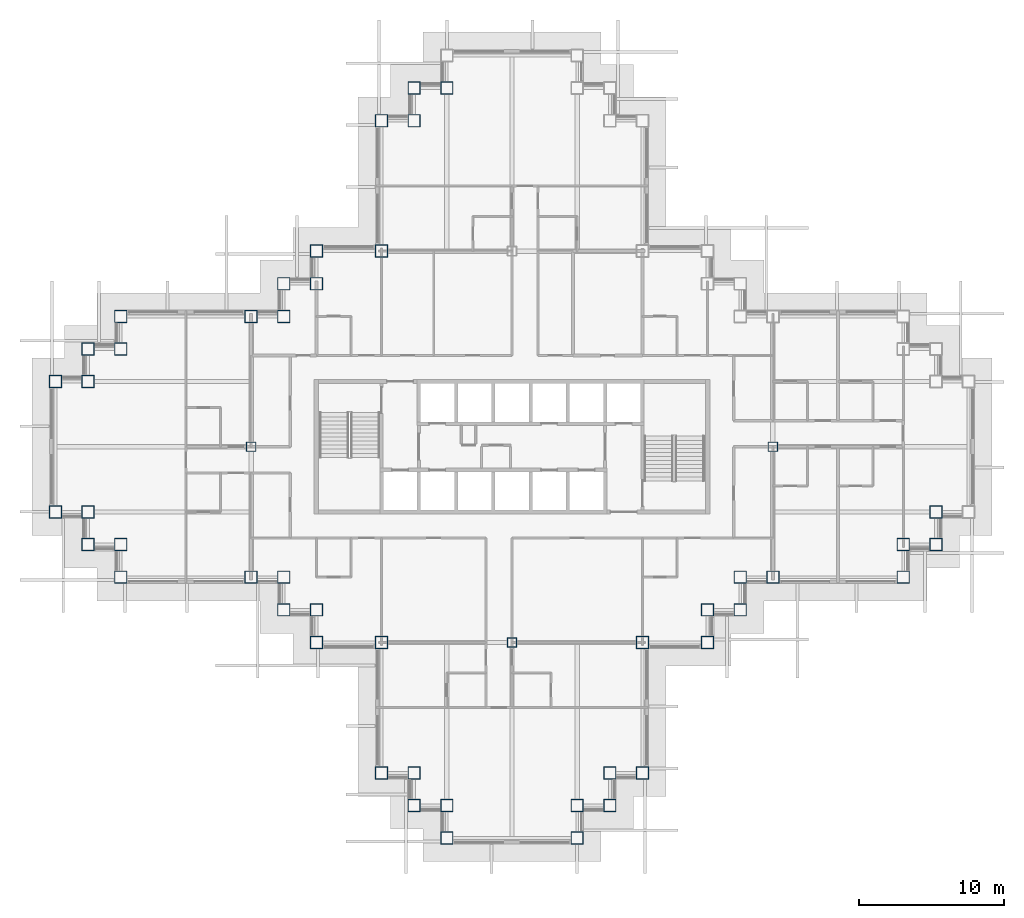
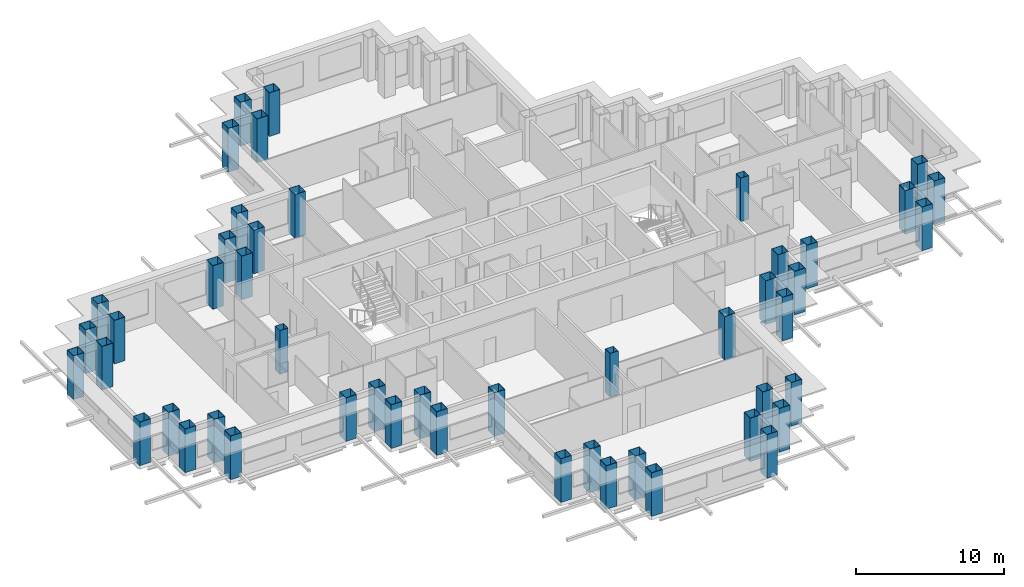
# One storey, part 1 of 17: 49 columns.
"""IFC4 building model written with IfcOpenShell, lengths in metres."""

from ifc_helpers import new_model, si_unit, direction, frame, origin, origin_2d, place, context, subcontext, project, spatial, hollow_rectangle, extrude, material, material_profile, profile_set, type_object, element, save


model = new_model("IFC4")

# Units and contexts
model_context = context("Model", 3, precision=1e-05, world=origin(), true_north=direction((0.0, 1.0)))
body_context = subcontext(model_context, "Body", "Model", "MODEL_VIEW")
ifc_project = project(units=[si_unit("LENGTHUNIT", "METRE"), si_unit("AREAUNIT", "SQUARE_METRE"), si_unit("VOLUMEUNIT", "CUBIC_METRE"), si_unit("PLANEANGLEUNIT", "RADIAN"), si_unit("MASSUNIT", "GRAM", prefix="KILO")], contexts=[model_context])

# Site, building, storey
site_placement = place(None, origin())
site = spatial("IfcSite", under=ifc_project, at=site_placement, CompositionType="ELEMENT")
building_placement = place(site_placement, origin())
building = spatial("IfcBuilding", under=site, at=building_placement, Name="Caravel Reach Hotel and Residences", CompositionType="ELEMENT")
storey_placement = place(building_placement, frame((0.0, 0.0, 126.0)))
storey = spatial("IfcBuildingStorey", under=building, at=storey_placement, Name="L31", CompositionType="ELEMENT", Elevation=126.0)

# Columns
ifc_material_1 = material(Name="Concrete-filled steel tube Q390B with Concrete C70 infill", Category="concrete")
ifc_material_profile_1 = material_profile(ifc_material_1, hollow_rectangle(XDim=0.64990234375, YDim=0.64990234375, WallThickness=0.02099609375, at=origin_2d()), Name="RHS 650x650x21")
ifc_profile_set_1 = profile_set([ifc_material_profile_1], Name="Concrete-filled steel tube Q390B with Concrete C70 infill")
column_type_1 = type_object("IfcColumnType", Name="CFT 650x650 Q390B C70", PredefinedType="COLUMN", material=ifc_profile_set_1)
for number, where, z_axis, x_axis, name in (
    (1, (31.5, 13.5, 0.0), (0.0, 0.0, 1.0), (1.0, 0.0, 0.0), "C17 column"),
    (2, (13.5, 27.0, 0.0), (0.0, 0.0, 1.0), (1.0, 0.0, 0.0), "C17 column"),
    (3, (49.5, 27.0, 0.0), (0.0, 0.0, 1.0), (1.0, 0.0, 0.0), "C17 column"),
):
    element("IfcColumn", number, at=place(storey_placement, frame(where, z_axis=z_axis, x_axis=x_axis)), inside=storey, type_object=column_type_1, Name=name, PredefinedType="COLUMN", context=body_context, shape_type="SweptSolid", body=[
        extrude(hollow_rectangle(XDim=0.64990234375, YDim=0.64990234375, WallThickness=0.02099609375, at=origin_2d()), origin(), (0.0, 0.0, 1.0), 3.60009765625),
    ])
ifc_material_2 = material(Name="Concrete-filled steel tube Q390B with Concrete C70 infill", Category="concrete")
ifc_material_profile_2 = material_profile(ifc_material_2, hollow_rectangle(XDim=0.85009765625, YDim=0.85009765625, WallThickness=0.02587890625, at=origin_2d()), Name="RHS 850x850x26")
ifc_profile_set_2 = profile_set([ifc_material_profile_2], Name="Concrete-filled steel tube Q390B with Concrete C70 infill")
column_type_2 = type_object("IfcColumnType", Name="CFT 850x850 Q390B C70", PredefinedType="COLUMN", material=ifc_profile_set_2)
for number, where, z_axis, x_axis, name in (
    (4, (22.5, 4.5, 0.0), (0.0, 0.0, 1.0), (1.0, 0.0, 0.0), "C13 column"),
    (5, (24.75, 4.5, 0.0), (0.0, 0.0, 1.0), (1.0, 0.0, 0.0), "C13 column"),
    (6, (24.75, 2.25, 0.0), (0.0, 0.0, 1.0), (1.0, 0.0, 0.0), "C13 column"),
    (7, (27.0, 2.25, 0.0), (0.0, 0.0, 1.0), (1.0, 0.0, 0.0), "C13 column"),
    (8, (27.0, 0.0, 0.0), (0.0, 0.0, 1.0), (1.0, 0.0, 0.0), "C13 column"),
    (9, (36.0, 0.0, 0.0), (0.0, 0.0, 1.0), (1.0, 0.0, 0.0), "C13 column"),
    (10, (36.0, 2.25, 0.0), (0.0, 0.0, 1.0), (1.0, 0.0, 0.0), "C13 column"),
    (11, (38.25, 2.25, 0.0), (0.0, 0.0, 1.0), (1.0, 0.0, 0.0), "C13 column"),
    (12, (38.25, 4.5, 0.0), (0.0, 0.0, 1.0), (1.0, 0.0, 0.0), "C13 column"),
    (13, (40.5, 4.5, 0.0), (0.0, 0.0, 1.0), (1.0, 0.0, 0.0), "C13 column"),
    (14, (40.5, 13.5, 0.0), (0.0, 0.0, 1.0), (1.0, 0.0, 0.0), "C13 column"),
    (15, (45.0, 13.5, 0.0), (0.0, 0.0, 1.0), (1.0, 0.0, 0.0), "C13 column"),
    (16, (45.0, 15.75, 0.0), (0.0, 0.0, 1.0), (1.0, 0.0, 0.0), "C13 column"),
    (17, (47.25, 15.75, 0.0), (0.0, 0.0, 1.0), (1.0, 0.0, 0.0), "C13 column"),
    (18, (47.25, 18.0, 0.0), (0.0, 0.0, 1.0), (1.0, 0.0, 0.0), "C13 column"),
    (19, (49.5, 18.0, 0.0), (0.0, 0.0, 1.0), (1.0, 0.0, 0.0), "C13 column"),
    (20, (58.5, 18.0, 0.0), (0.0, 0.0, 1.0), (1.0, 0.0, 0.0), "C13 column"),
    (21, (58.5, 20.25, 0.0), (0.0, 0.0, 1.0), (1.0, 0.0, 0.0), "C13 column"),
    (22, (60.75, 20.25, 0.0), (0.0, 0.0, 1.0), (1.0, 0.0, 0.0), "C13 column"),
    (23, (60.75, 22.5, 0.0), (0.0, 0.0, 1.0), (1.0, 0.0, 0.0), "C13 column"),
    (24, (27.0, 51.75, 0.0), (0.0, 0.0, 1.0), (1.0, 0.0, 0.0), "C13 column"),
    (25, (24.75, 51.75, 0.0), (0.0, 0.0, 1.0), (1.0, 0.0, 0.0), "C13 column"),
    (26, (24.75, 49.5, 0.0), (0.0, 0.0, 1.0), (1.0, 0.0, 0.0), "C13 column"),
    (27, (22.5, 49.5, 0.0), (0.0, 0.0, 1.0), (1.0, 0.0, 0.0), "C13 column"),
    (28, (22.5, 40.5, 0.0), (0.0, 0.0, 1.0), (1.0, 0.0, 0.0), "C13 column"),
    (29, (18.0, 40.5, 0.0), (0.0, 0.0, 1.0), (1.0, 0.0, 0.0), "C13 column"),
    (30, (18.0, 38.25, 0.0), (0.0, 0.0, 1.0), (1.0, 0.0, 0.0), "C13 column"),
    (31, (15.75, 38.25, 0.0), (0.0, 0.0, 1.0), (1.0, 0.0, 0.0), "C13 column"),
    (32, (15.75, 36.0, 0.0), (0.0, 0.0, 1.0), (1.0, 0.0, 0.0), "C13 column"),
    (33, (13.5, 36.0, 0.0), (0.0, 0.0, 1.0), (1.0, 0.0, 0.0), "C13 column"),
    (34, (4.5, 36.0, 0.0), (0.0, 0.0, 1.0), (1.0, 0.0, 0.0), "C13 column"),
    (35, (4.5, 33.75, 0.0), (0.0, 0.0, 1.0), (1.0, 0.0, 0.0), "C13 column"),
    (36, (2.25, 33.75, 0.0), (0.0, 0.0, 1.0), (1.0, 0.0, 0.0), "C13 column"),
    (37, (2.25, 31.5, 0.0), (0.0, 0.0, 1.0), (1.0, 0.0, 0.0), "C13 column"),
    (38, (0.0, 31.5, 0.0), (0.0, 0.0, 1.0), (1.0, 0.0, 0.0), "C13 column"),
    (39, (0.0, 22.5, 0.0), (0.0, 0.0, 1.0), (1.0, 0.0, 0.0), "C13 column"),
    (40, (2.25, 22.5, 0.0), (0.0, 0.0, 1.0), (1.0, 0.0, 0.0), "C13 column"),
    (41, (2.25, 20.25, 0.0), (0.0, 0.0, 1.0), (1.0, 0.0, 0.0), "C13 column"),
    (42, (4.5, 20.25, 0.0), (0.0, 0.0, 1.0), (1.0, 0.0, 0.0), "C13 column"),
    (43, (4.5, 18.0, 0.0), (0.0, 0.0, 1.0), (1.0, 0.0, 0.0), "C13 column"),
    (44, (13.5, 18.0, 0.0), (0.0, 0.0, 1.0), (1.0, 0.0, 0.0), "C13 column"),
    (45, (15.75, 18.0, 0.0), (0.0, 0.0, 1.0), (1.0, 0.0, 0.0), "C13 column"),
    (46, (15.75, 15.75, 0.0), (0.0, 0.0, 1.0), (1.0, 0.0, 0.0), "C13 column"),
    (47, (18.0, 15.75, 0.0), (0.0, 0.0, 1.0), (1.0, 0.0, 0.0), "C13 column"),
    (48, (18.0, 13.5, 0.0), (0.0, 0.0, 1.0), (1.0, 0.0, 0.0), "C13 column"),
    (49, (22.5, 13.5, 0.0), (0.0, 0.0, 1.0), (1.0, 0.0, 0.0), "C13 column"),
):
    element("IfcColumn", number, at=place(storey_placement, frame(where, z_axis=z_axis, x_axis=x_axis)), inside=storey, type_object=column_type_2, Name=name, PredefinedType="COLUMN", context=body_context, shape_type="SweptSolid", body=[
        extrude(hollow_rectangle(XDim=0.85009765625, YDim=0.85009765625, WallThickness=0.02587890625, at=origin_2d()), origin(), (0.0, 0.0, 1.0), 3.60009765625),
    ])

save(model, "model.ifc")
